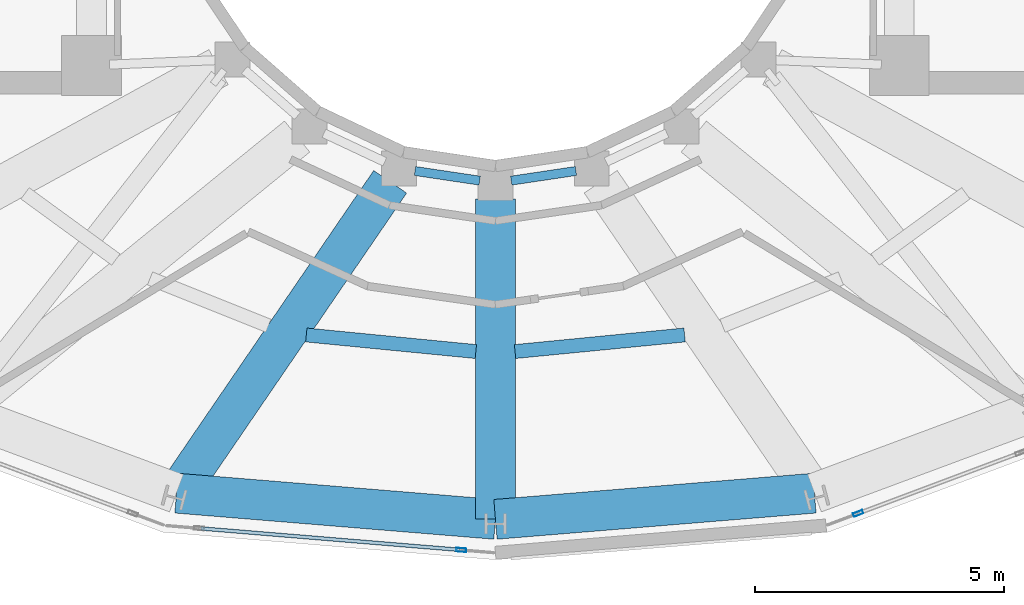
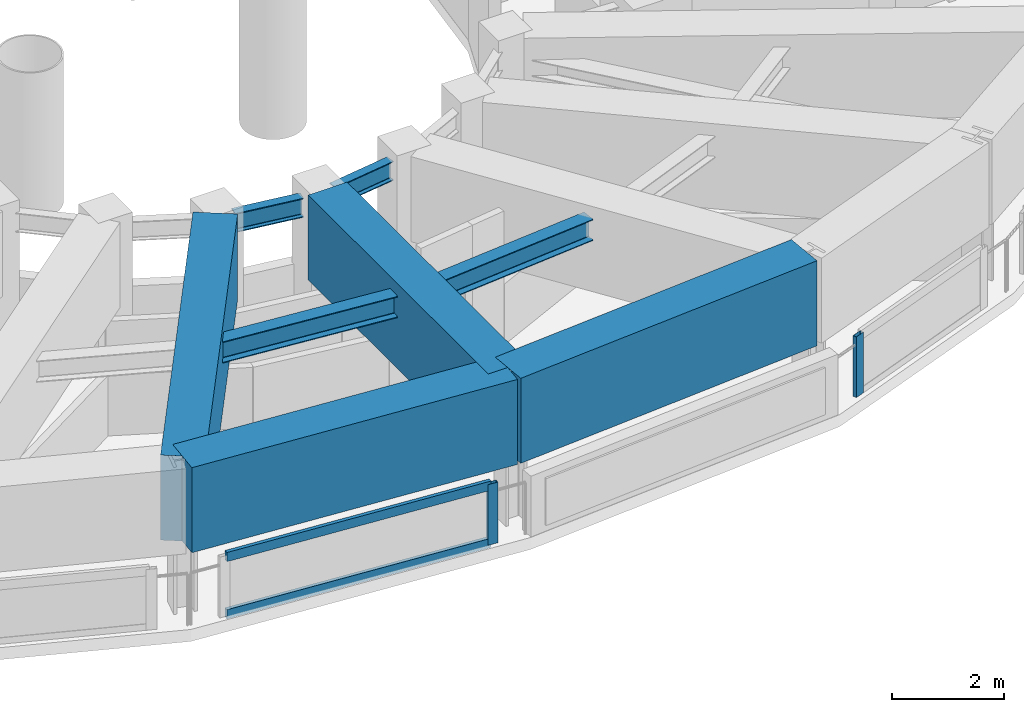
# One storey, part 4 of 18: 8 beams, 4 members, 2 elements without a shape of their own.
"""IFC4 building model written with IfcOpenShell, lengths in metres."""

from ifc_helpers import new_model, si_unit, direction, frame, origin, origin_2d, place, context, subcontext, project, spatial, rectangle, hollow_rectangle, i_section, extrude, material, layer, layer_set, material_profile, profile_set, type_object, element, aggregate, save


model = new_model("IFC4")

# Units and contexts
model_context = context("Model", 3, precision=1e-05, world=origin(), true_north=direction((0.0, 1.0)))
body_context = subcontext(model_context, "Body", "Model", "MODEL_VIEW")
ifc_project = project(units=[si_unit("LENGTHUNIT", "METRE"), si_unit("AREAUNIT", "SQUARE_METRE"), si_unit("VOLUMEUNIT", "CUBIC_METRE"), si_unit("PLANEANGLEUNIT", "RADIAN"), si_unit("MASSUNIT", "GRAM", prefix="KILO")], contexts=[model_context])

# Site, building, storey
site_placement = place(None, origin())
site = spatial("IfcSite", under=ifc_project, at=site_placement, CompositionType="ELEMENT")
building_placement = place(site_placement, origin())
building = spatial("IfcBuilding", under=site, at=building_placement, Name="Solvane Sanctuary Tower", CompositionType="ELEMENT")
storey_placement = place(building_placement, frame((0.0, 0.0, 266.800048828125)))
storey = spatial("IfcBuildingStorey", under=building, at=storey_placement, Name="L81", CompositionType="ELEMENT", Elevation=266.800048828125)

# Beams
ifc_material_1 = material(Name="Steel ASTM A992 Grade 50", Category="steel")
ifc_material_profile_1 = material_profile(ifc_material_1, i_section(OverallWidth=0.180908203125, OverallDepth=0.4169921875, WebThickness=0.010986328125, FlangeThickness=0.018310546875, FilletRadius=0.012939453125, at=origin_2d()), Name="W16X57")
ifc_profile_set_1 = profile_set([ifc_material_profile_1], Name="Steel ASTM A992 Grade 50")
beam_type_1 = type_object("IfcBeamType", Name="Beam B-ROOF-BM W16X57", PredefinedType="BEAM", material=ifc_profile_set_1)
for number, where, z_axis, x_axis, name in (
    (1, (30.3857421875, 14.781005859375, 2.7294921875), (0.989056121481, -0.147539786368, 0.0), (0.147539786368, 0.989056121481, 0.0), "L81 Inner Light-Well Ring Beam IC10-IC11"),
    (2, (32.31640625, 14.58740234375, 2.7294921875), (0.989056121481, 0.147539786368, 0.0), (-0.147539786368, 0.989056121481, 0.0), "L81 Inner Light-Well Ring Beam IC11-IC12"),
):
    element("IfcBeam", number, at=place(storey_placement, frame(where, z_axis=z_axis, x_axis=x_axis)), inside=storey, type_object=beam_type_1, Name=name, PredefinedType="BEAM", context=body_context, shape_type="SweptSolid", body=[
        extrude(i_section(OverallWidth=0.180908203125, OverallDepth=0.4169921875, WebThickness=0.010986328125, FlangeThickness=0.018310546875, FilletRadius=0.012939453125, at=origin_2d()), origin(), (0.0, 0.0, 1.0), 1.312255859375),
    ])
ifc_material_profile_2 = material_profile(ifc_material_1, i_section(OverallWidth=0.280029296875, OverallDepth=0.462890625, WebThickness=0.0107421875, FlangeThickness=0.017333984375, FilletRadius=0.013916015625, at=origin_2d()), Name="W18X76")
ifc_profile_set_2 = profile_set([ifc_material_profile_2], Name="Steel ASTM A992 Grade 50")
beam_type_2 = type_object("IfcBeamType", Name="Beam B-SEC-JOIST W18X76", PredefinedType="JOIST", material=ifc_profile_set_2)
for number, where, z_axis, x_axis, name in (
    (3, (28.205810546875, 11.4912109375, 2.70654296875), (0.995268569669, -0.097162102846, 0.0), (0.097162102846, 0.995268569669, 0.0), "L81 Secondary Circumferential Joist 10-11"),
    (4, (32.39306640625, 11.1591796875, 2.70654296875), (0.995268569669, 0.097162102846, 0.0), (-0.097162102846, 0.995268569669, 0.0), "L81 Secondary Circumferential Joist 11-12"),
):
    element("IfcBeam", number, at=place(storey_placement, frame(where, z_axis=z_axis, x_axis=x_axis)), inside=storey, type_object=beam_type_2, Name=name, PredefinedType="JOIST", context=body_context, shape_type="SweptSolid", body=[
        extrude(i_section(OverallWidth=0.280029296875, OverallDepth=0.462890625, WebThickness=0.0107421875, FlangeThickness=0.017333984375, FilletRadius=0.013916015625, at=origin_2d()), origin(), (0.0, 0.0, 1.0), 3.417236328125),
    ])
ifc_material_2 = material(Name="Concrete C70/85", Category="concrete")
ifc_material_profile_3 = material_profile(ifc_material_2, rectangle(XDim=0.800048828125, YDim=1.85009765625, at=origin_2d()), Name="RC800X1850")
ifc_profile_set_3 = profile_set([ifc_material_profile_3], Name="Concrete C70/85")
beam_type_3 = type_object("IfcBeamType", Name="Beam B-XFER-BLK RC800X1850", PredefinedType="BEAM", material=ifc_profile_set_3)
beam_1_placement = place(storey_placement, frame((29.888427734375, 14.564208984375, 2.27490234375), z_axis=(-0.56454754389, -0.825400551664, 0.0), x_axis=(0.825400551664, -0.56454754389, 0.0)))
element("IfcBeam", 5, at=beam_1_placement, inside=storey, type_object=beam_type_3, Name="L81 Block-Shift Radial Transfer Girder 10A", PredefinedType="BEAM", context=body_context, shape_type="SweptSolid", body=[
    extrude(rectangle(XDim=0.800048828125, YDim=1.85009765625, at=origin_2d()), origin(), (0.0, 0.0, 1.0), 7.573486328125),
])
beam_2_placement = place(storey_placement, frame((32.0, 14.219970703125, 2.27490234375), z_axis=(0.0, -1.0, 0.0), x_axis=(1.0, 0.0, 0.0)))
element("IfcBeam", 6, at=beam_2_placement, inside=storey, type_object=beam_type_3, Name="L81 Block-Shift Radial Transfer Girder 11A", PredefinedType="BEAM", context=body_context, shape_type="SweptSolid", body=[
    extrude(rectangle(XDim=0.800048828125, YDim=1.85009765625, at=origin_2d()), origin(), (0.0, 0.0, 1.0), 6.41796875),
])
for number, where, z_axis, x_axis, name in (
    (7, (25.601318359375, 8.318359375, 2.27490234375), (0.996645989567, -0.08183380402, 0.0), (0.08183380402, 0.996645989567, 0.0), "L81 Perimeter Step Transfer Ring NTC10-NTC11"),
    (8, (32.0, 7.79296875, 2.27490234375), (0.996645989567, 0.08183380402, 0.0), (-0.08183380402, 0.996645989567, 0.0), "L81 Perimeter Step Transfer Ring NTC11-NTC12"),
):
    element("IfcBeam", number, at=place(storey_placement, frame(where, z_axis=z_axis, x_axis=x_axis)), inside=storey, type_object=beam_type_3, Name=name, PredefinedType="BEAM", context=body_context, shape_type="SweptSolid", body=[
        extrude(rectangle(XDim=0.800048828125, YDim=1.85009765625, at=origin_2d()), origin(), (0.0, 0.0, 1.0), 6.420166015625),
    ])

# Curtain wall, member
ifc_material_3 = material(Name="Anodised Aluminium 6063-T6", Category="aluminium")
ifc_layer = layer(ifc_material_3, 0.219970703125, Name="Anodised Aluminium 6063-T6")
ifc_layer_set = layer_set([ifc_layer], Name="Anodised Aluminium 6063-T6")
curtain_wall_type = type_object("IfcCurtainWallType", Name="Curtain Wall CW-CROWN", PredefinedType="NOTDEFINED", material=ifc_layer_set)
curtain_wall_1_placement = place(storey_placement, origin())
curtain_wall_1 = element("IfcCurtainWall", 9, at=curtain_wall_1_placement, inside=storey, type_object=curtain_wall_type, Name="L81 Crown Fritted Lantern Curtain Wall 17", PredefinedType="NOTDEFINED")
ifc_material_profile_4 = material_profile(ifc_material_3, hollow_rectangle(XDim=0.074951171875, YDim=0.199951171875, WallThickness=0.00390625, at=origin_2d()), Name="ALU200X75X4")
ifc_profile_set_4 = profile_set([ifc_material_profile_4], Name="Anodised Aluminium 6063-T6")
member_type_1 = type_object("IfcMemberType", Name="Member M-CW-MUL-1 ALU200X75X4", PredefinedType="MULLION", material=ifc_profile_set_4)
member_1_placement = place(storey_placement, frame((31.31494140625, 7.1787109375, 0.0), z_axis=(0.0, 0.0, 1.0), x_axis=(0.082454909667, 0.99659479623, 0.0)))
member_1 = element("IfcMember", 10, at=member_1_placement, type_object=member_type_1, Name="CW-CROWN mullion 2", PredefinedType="MULLION", context=body_context, shape_type="SweptSolid", body=[
    extrude(hollow_rectangle(XDim=0.074951171875, YDim=0.199951171875, WallThickness=0.00390625, at=origin_2d()), origin(), (0.0, 0.0, 1.0), 1.320068359375),
])

curtain_wall_2_placement = place(storey_placement, origin())
curtain_wall_2 = element("IfcCurtainWall", 11, at=curtain_wall_2_placement, inside=storey, type_object=curtain_wall_type, Name="L81 Crown Fritted Lantern Curtain Wall 19", PredefinedType="NOTDEFINED")
member_2_placement = place(storey_placement, frame((39.2744140625, 7.911865234375, 0.0), z_axis=(0.0, 0.0, 1.0), x_axis=(-0.350836569959, 0.93643670431, 0.0)))
member_2 = element("IfcMember", 12, at=member_2_placement, type_object=member_type_1, Name="CW-CROWN mullion 1", PredefinedType="MULLION", context=body_context, shape_type="SweptSolid", body=[
    extrude(hollow_rectangle(XDim=0.074951171875, YDim=0.199951171875, WallThickness=0.00390625, at=origin_2d()), origin(), (0.0, 0.0, 1.0), 1.320068359375),
])
aggregate(curtain_wall_2, [member_2])

# Member
ifc_material_profile_5 = material_profile(ifc_material_3, hollow_rectangle(XDim=0.074951171875, YDim=0.199951171875, WallThickness=0.00390625, at=origin_2d()), Name="ALU200X75X4")
ifc_profile_set_5 = profile_set([ifc_material_profile_5], Name="Anodised Aluminium 6063-T6")
member_type_2 = type_object("IfcMemberType", Name="Member M-CW-TRN-2 ALU200X75X4", PredefinedType="USERDEFINED", material=ifc_profile_set_5)
member_3_placement = place(storey_placement, frame((26.092041015625, 7.61083984375, 0.037353515625), z_axis=(0.996595735446, -0.082443557003, 0.0), x_axis=(0.082443557003, 0.996595735446, 0.0)))
member_3 = element("IfcMember", 13, at=member_3_placement, type_object=member_type_2, Name="CW-CROWN transom 1.1", ObjectType="TRANSOM", PredefinedType="USERDEFINED", context=body_context, shape_type="SweptSolid", body=[
    extrude(hollow_rectangle(XDim=0.074951171875, YDim=0.199951171875, WallThickness=0.00390625, at=origin_2d()), origin(), (0.0, 0.0, 1.0), 5.203125),
])

member_4_placement = place(storey_placement, frame((26.092041015625, 7.61083984375, 1.282470703125), z_axis=(0.996595735446, -0.082443557003, 0.0), x_axis=(0.082443557003, 0.996595735446, 0.0)))
member_4 = element("IfcMember", 14, at=member_4_placement, type_object=member_type_2, Name="CW-CROWN transom 1.2", ObjectType="TRANSOM", PredefinedType="USERDEFINED", context=body_context, shape_type="SweptSolid", body=[
    extrude(hollow_rectangle(XDim=0.074951171875, YDim=0.199951171875, WallThickness=0.00390625, at=origin_2d()), origin(), (0.0, 0.0, 1.0), 5.203125),
])

aggregate(curtain_wall_1, [member_1, member_3, member_4])

save(model, "model.ifc")
